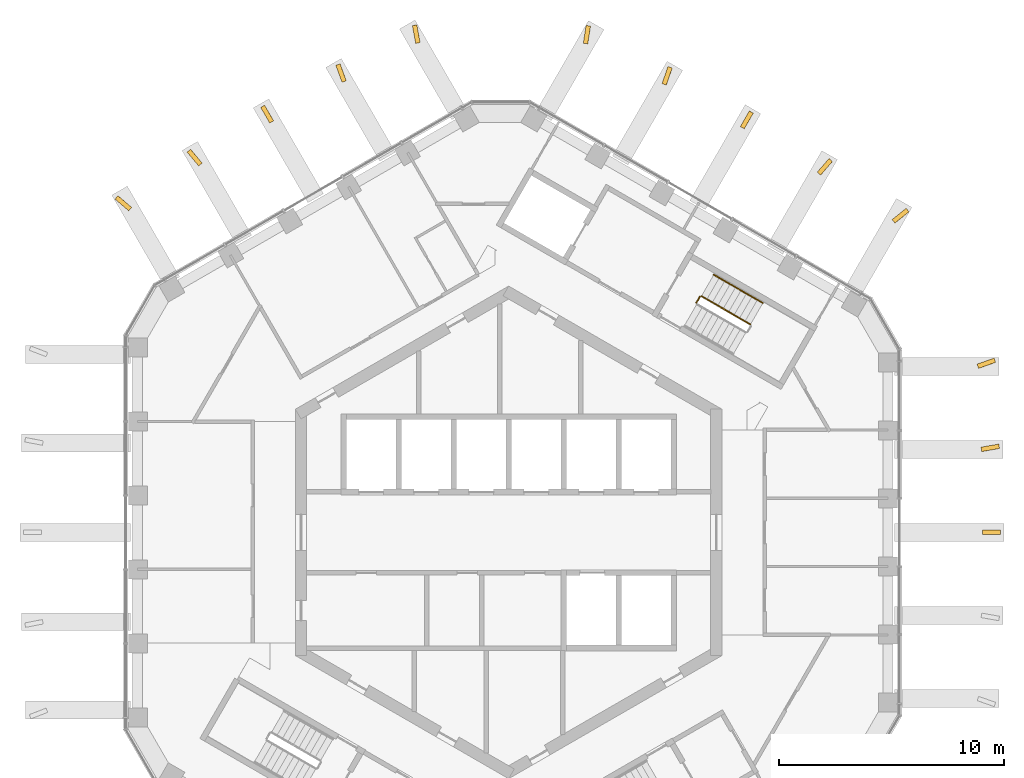
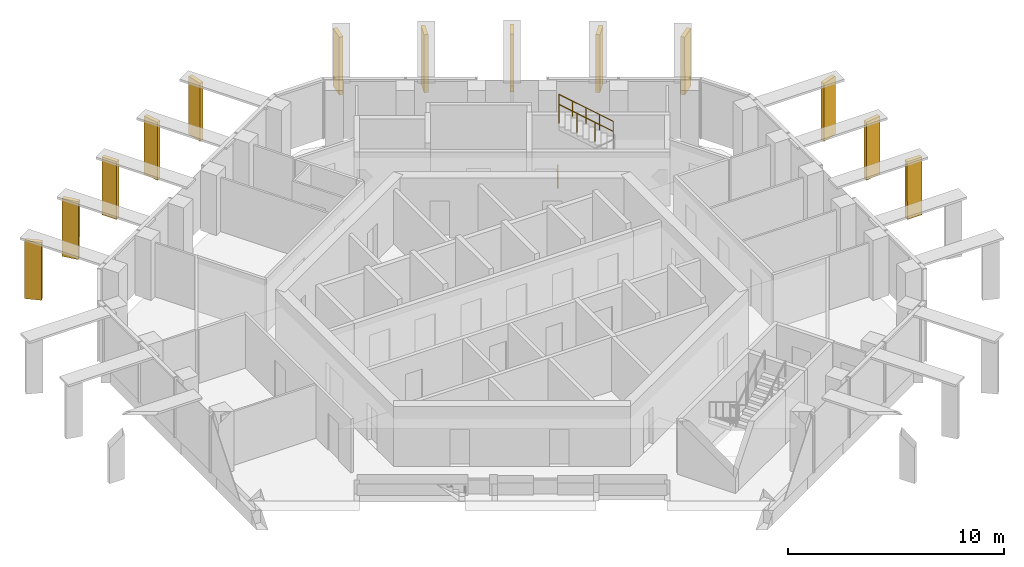
# One storey, part 18 of 18: 13 shading devices, 4 railings.
"""IFC4 building model written with IfcOpenShell, lengths in metres."""

from ifc_helpers import new_model, si_unit, direction, frame, origin, origin_2d, place, context, subcontext, project, spatial, polyline, circle, outline, extrude, material, layer, layer_set, type_object, element, save


model = new_model("IFC4")

# Units and contexts
model_context = context("Model", 3, precision=1e-05, world=origin(), true_north=direction((0.0, 1.0)))
body_context = subcontext(model_context, "Body", "Model", "MODEL_VIEW")
ifc_project = project(units=[si_unit("LENGTHUNIT", "METRE"), si_unit("AREAUNIT", "SQUARE_METRE"), si_unit("VOLUMEUNIT", "CUBIC_METRE"), si_unit("PLANEANGLEUNIT", "RADIAN"), si_unit("MASSUNIT", "GRAM", prefix="KILO")], contexts=[model_context])

# Site, building, storey
site_placement = place(None, origin())
site = spatial("IfcSite", under=ifc_project, at=site_placement, CompositionType="ELEMENT")
building_placement = place(site_placement, origin())
building = spatial("IfcBuilding", under=site, at=building_placement, Name="Ayvan Gate Tower", CompositionType="ELEMENT")
storey_placement = place(building_placement, frame((0.0, 0.0, 239.300048828125)))
storey = spatial("IfcBuildingStorey", under=building, at=storey_placement, Name="L64", CompositionType="ELEMENT", Elevation=239.300048828125)

# Shading devices
ifc_material_1 = material(Name="Bronze anodised aluminium", Category="aluminium")
ifc_layer = layer(ifc_material_1, 0.199951171875)
ifc_layer_set = layer_set([ifc_layer], Name="Bronze anodised aluminium")
shading_device_type = type_object("IfcShadingDeviceType", Name="Crown frame rib 800 x 200", PredefinedType="USERDEFINED", material=ifc_layer_set)
shading_device_1_placement = place(storey_placement, frame((-3.94384765625, 21.81787109375, 0.0), z_axis=(0.983236342365, 0.182335106941, 0.000451475959), x_axis=(-0.182335125553, 0.983236442566, 6.773e-08)))
element("IfcShadingDevice", 1, at=shading_device_1_placement, inside=storey, type_object=shading_device_type, Name="CROWN FRAME rib FR02.3.1", ObjectType="FIN", PredefinedType="USERDEFINED", context=body_context, shape_type="SweptSolid", body=[
    extrude(outline(polyline([(0.0, 0.0), (0.8000547419501696, 0.0), (0.7980725941170403, 3.2800295771064425), (-0.0019376324216171012, 3.28002968547931), (0.0, 0.0)])), origin(), (0.0, 0.0, -1.0), 0.199951171875),
])
shading_device_2_placement = place(storey_placement, frame((-7.2333984375, 20.117919921875, 0.0), z_axis=(0.939427407138, 0.342747556275, 0.000509299415), x_axis=(-0.342747600727, 0.939427528975, 0.0)))
element("IfcShadingDevice", 2, at=shading_device_2_placement, inside=storey, type_object=shading_device_type, Name="CROWN FRAME rib FR02.3.2", ObjectType="FIN", PredefinedType="USERDEFINED", context=body_context, shape_type="SweptSolid", body=[
    extrude(outline(polyline([(0.0, 0.0), (0.7999178441897364, -2.710505431213761e-20), (0.7981883868269768, 3.2800297222717485), (-0.0017294573627597131, 3.2800297222717485), (0.0, 0.0)])), origin(), (0.0, 0.0, -1.0), 0.199951171875),
])
shading_device_3_placement = place(storey_placement, frame((-10.4697265625, 18.333740234375, 0.0), z_axis=(0.866027974264, 0.499995361463, 0.000431633808), x_axis=(-0.499995408018, 0.86602805495, -5.7039e-08)))
element("IfcShadingDevice", 3, at=shading_device_3_placement, inside=storey, type_object=shading_device_type, Name="CROWN FRAME rib FR02.3.3", ObjectType="FIN", PredefinedType="USERDEFINED", context=body_context, shape_type="SweptSolid", body=[
    extrude(outline(polyline([(0.0, 0.0), (0.7999951411821995, 0.0), (0.7983361988007865, 3.2800296479585893), (-0.0017810115728236363, 3.280029556690155), (0.0, 0.0)])), origin(), (0.0, 0.0, -1.0), 0.199951171875),
])
shading_device_4_placement = place(storey_placement, frame((-13.65283203125, 16.45166015625, 0.0), z_axis=(0.766542733107, 0.642193145631, 0.000449472281), x_axis=(-0.642193210482, 0.766542810553, -5.2574e-08)))
element("IfcShadingDevice", 4, at=shading_device_4_placement, inside=storey, type_object=shading_device_type, Name="CROWN FRAME rib FR02.3.4", ObjectType="FIN", PredefinedType="USERDEFINED", context=body_context, shape_type="SweptSolid", body=[
    extrude(outline(polyline([(0.0, 0.0), (0.7999829235751461, 0.0), (0.7981113087232607, 3.280029670159233), (-0.002028400303663182, 3.2800295860348414), (0.0, 0.0)])), origin(), (0.0, 0.0, -1.0), 0.199951171875),
])
shading_device_5_placement = place(storey_placement, frame((-16.793212890625, 14.4765625, 0.0), z_axis=(0.649458214272, 0.76039715266, 0.000445130331), x_axis=(-0.76039722798, 0.64945827863, -4.412e-08)))
element("IfcShadingDevice", 5, at=shading_device_5_placement, inside=storey, type_object=shading_device_type, Name="CROWN FRAME rib FR02.3.5", ObjectType="FIN", PredefinedType="USERDEFINED", context=body_context, shape_type="SweptSolid", body=[
    extrude(outline(polyline([(0.0, 0.0), (0.799852712847083, 2.710505431213761e-20), (0.7978956889216784, 3.2800296570326117), (-0.0021426677798919063, 3.2800295864449343), (0.0, 0.0)])), origin(), (0.0, 0.0, -1.0), 0.199951171875),
])
shading_device_6_placement = place(storey_placement, frame((21.1123046875, -0.099853515625, 0.0), z_axis=(0.0, -0.999999900277, 0.000446594671), x_axis=(1.0, 0.0, 0.0)))
element("IfcShadingDevice", 6, at=shading_device_6_placement, inside=storey, type_object=shading_device_type, Name="CROWN FRAME rib FR02.1.3", ObjectType="FIN", PredefinedType="USERDEFINED", context=body_context, shape_type="SweptSolid", body=[
    extrude(outline(polyline([(0.0, 0.0), (0.800048828125, 0.0), (0.79833984375, 3.280029623970722), (-0.001708984375, 3.280029623970722), (0.0, 0.0)])), origin(), (0.0, 0.0, -1.0), 0.199951171875),
])
shading_device_7_placement = place(storey_placement, frame((21.073974609375, 3.59765625, 0.0), z_axis=(0.173027985072, -0.984916793332, 0.000476019489), x_axis=(0.984916904919, 0.173028004681, 1.2569e-08)))
element("IfcShadingDevice", 7, at=shading_device_7_placement, inside=storey, type_object=shading_device_type, Name="CROWN FRAME rib FR02.1.4", ObjectType="FIN", PredefinedType="USERDEFINED", context=body_context, shape_type="SweptSolid", body=[
    extrude(outline(polyline([(0.0, 0.0), (0.7999105788157218, 1.3552527156068805e-20), (0.7981981700393683, 3.2800296584606907), (-0.0019528670050936517, 3.280029678572283), (0.0, 0.0)])), origin(), (0.0, 0.0, -1.0), 0.199951171875),
])
shading_device_8_placement = place(storey_placement, frame((20.93359375, 7.304931640625, 0.0), z_axis=(0.333841458204, -0.942629126501, 0.000458972978), x_axis=(0.942629225786, 0.333841493367, 0.0)))
element("IfcShadingDevice", 8, at=shading_device_8_placement, inside=storey, type_object=shading_device_type, Name="CROWN FRAME rib FR02.1.5", ObjectType="FIN", PredefinedType="USERDEFINED", context=body_context, shape_type="SweptSolid", body=[
    extrude(outline(polyline([(0.0, 0.0), (0.8000498711419429, 0.0), (0.7979930430712, 3.2800296423542994), (-0.002056828070742895, 3.2800296423542994), (0.0, 0.0)])), origin(), (0.0, 0.0, -1.0), 0.199951171875),
])
shading_device_9_placement = place(storey_placement, frame((17.206298828125, 13.77490234375, 0.0), z_axis=(0.62846489139, -0.777837828673, 0.000438833643), x_axis=(0.777837903584, 0.628464951885, -5.2086e-08)))
element("IfcShadingDevice", 9, at=shading_device_9_placement, inside=storey, type_object=shading_device_type, Name="CROWN FRAME rib FR02.2.1", ObjectType="FIN", PredefinedType="USERDEFINED", context=body_context, shape_type="SweptSolid", body=[
    extrude(outline(polyline([(0.0, 0.0), (0.7999800176189471, -2.710505431213761e-20), (0.7980808284564826, 3.2800296542695517), (-0.002052622988608323, 3.280029570926247), (0.0, 0.0)])), origin(), (0.0, 0.0, -1.0), 0.199951171875),
])
shading_device_10_placement = place(storey_placement, frame((13.896484375, 15.91455078125, 0.0), z_axis=(0.756373293925, -0.654140066786, 0.000461803959), x_axis=(0.654140136535, 0.75637337458, 7.205e-09)))
element("IfcShadingDevice", 10, at=shading_device_10_placement, inside=storey, type_object=shading_device_type, Name="CROWN FRAME rib FR02.2.2", ObjectType="FIN", PredefinedType="USERDEFINED", context=body_context, shape_type="SweptSolid", body=[
    extrude(outline(polyline([(0.0, 0.0), (0.7998328942393694, -5.421010862427522e-20), (0.7982109367690798, 3.2800296408778693), (-0.0019663211204642506, 3.2800296524066477), (0.0, 0.0)])), origin(), (0.0, 0.0, -1.0), 0.199951171875),
])
shading_device_11_placement = place(storey_placement, frame((10.494384765625, 17.97705078125, 0.0), z_axis=(0.866055895608, -0.499946980443, 0.000449921), x_axis=(0.499947031058, 0.866055983258, -3.4332e-08)))
element("IfcShadingDevice", 11, at=shading_device_11_placement, inside=storey, type_object=shading_device_type, Name="CROWN FRAME rib FR02.2.3", ObjectType="FIN", PredefinedType="USERDEFINED", context=body_context, shape_type="SweptSolid", body=[
    extrude(outline(polyline([(0.0, 0.0), (0.7997837063903365, -2.710505431213761e-20), (0.7980507590079532, 3.2800296562600177), (-0.0019443868314207244, 3.28002960133658), (0.0, 0.0)])), origin(), (0.0, 0.0, -1.0), 0.199951171875),
])
shading_device_12_placement = place(storey_placement, frame((7.022705078125, 19.926513671875, 0.0), z_axis=(0.944657149351, -0.32805893573, 0.000452623147), x_axis=(0.328058969344, 0.944657246113, -2.266e-08)))
element("IfcShadingDevice", 12, at=shading_device_12_placement, inside=storey, type_object=shading_device_type, Name="CROWN FRAME rib FR02.2.4", ObjectType="FIN", PredefinedType="USERDEFINED", context=body_context, shape_type="SweptSolid", body=[
    extrude(outline(polyline([(0.0, 0.0), (0.7998968673738162, -1.3552527156068805e-20), (0.7983335360311261, 3.2800296509515428), (-0.0017939605531666644, 3.280029614694587), (0.0, 0.0)])), origin(), (0.0, 0.0, -1.0), 0.199951171875),
])
shading_device_13_placement = place(storey_placement, frame((3.523681640625, 21.757568359375, 0.0), z_axis=(0.987838208325, -0.155484574341, 0.000470442467), x_axis=(0.155484591514, 0.987838317642, 7.0911e-08)))
element("IfcShadingDevice", 13, at=shading_device_13_placement, inside=storey, type_object=shading_device_type, Name="CROWN FRAME rib FR02.2.5", ObjectType="FIN", PredefinedType="USERDEFINED", context=body_context, shape_type="SweptSolid", body=[
    extrude(outline(polyline([(0.0, 0.0), (0.7999937234589078, 0.0), (0.7980400350629201, 3.280029603246628), (-0.0019916485013377534, 3.2800297167066184), (0.0, 0.0)])), origin(), (0.0, 0.0, -1.0), 0.199951171875),
])

# Railings
ifc_material_2 = material(Name="Stainless steel balustrade", Category="steel")
railing_type_1 = type_object("IfcRailingType", Name="RL-GUARD-1100", PredefinedType="GUARDRAIL", material=ifc_material_2)
railing_1_placement = place(storey_placement, frame((10.7685546875, 9.261474609375, 1.869873046875)))
element("IfcRailing", 14, at=railing_1_placement, inside=storey, type_object=railing_type_1, Name="L64 STS1 stair guard 3", PredefinedType="GUARDRAIL", context=body_context, shape_type="SweptSolid", body=[
    extrude(circle(Radius=0.02392578125, at=origin_2d()), frame((0.0, 0.0, 1.076171875), z_axis=(-0.740261155115, 0.427395438142, 0.518986090067), x_axis=(-0.500004791531, -0.866022637375, 0.0)), (0.0, 0.0, 1.0), 2.947998046875),
    extrude(circle(Radius=0.02099609375, at=origin_2d()), origin(), (0.0, 0.0, 1.0), 1.052001953125),
    extrude(circle(Radius=0.02099609375, at=origin_2d()), frame((-0.7275390625, 0.419921875, 0.510009765625)), (0.0, 0.0, 1.0), 1.052001953125),
    extrude(circle(Radius=0.02099609375, at=origin_2d()), frame((-1.454833984375, 0.840087890625, 1.02001953125)), (0.0, 0.0, 1.0), 1.052001953125),
    extrude(circle(Radius=0.02099609375, at=origin_2d()), frame((-2.182373046875, 1.260009765625, 1.530029296875)), (0.0, 0.0, 1.0), 1.052001953125),
])
railing_2_placement = place(storey_placement, frame((8.36279296875, 10.23486328125, 0.0)))
element("IfcRailing", 15, at=railing_2_placement, inside=storey, type_object=railing_type_1, Name="L64 STS1 stair guard 4", PredefinedType="GUARDRAIL", context=body_context, shape_type="SweptSolid", body=[
    extrude(circle(Radius=0.02392578125, at=origin_2d()), frame((0.0, 0.0, 1.076171875), z_axis=(0.500290723946, 0.86585748916, 0.0), x_axis=(-0.86585748916, 0.500290723946, 0.0)), (0.0, 0.0, 1.0), 0.309814453125),
    extrude(circle(Radius=0.02099609375, at=origin_2d()), origin(), (0.0, 0.0, 1.0), 1.052001953125),
    extrude(circle(Radius=0.02099609375, at=origin_2d()), frame((0.155029296875, 0.268310546875, 0.0)), (0.0, 0.0, 1.0), 1.052001953125),
])
railing_type_2 = type_object("IfcRailingType", Name="RL-HANDRAIL-900", PredefinedType="HANDRAIL", material=ifc_material_2)
railing_3_placement = place(storey_placement, frame((11.318603515625, 10.214111328125, 1.869873046875)))
element("IfcRailing", 16, at=railing_3_placement, inside=storey, type_object=railing_type_2, Name="L64 STS1 stair handrail 3", PredefinedType="HANDRAIL", context=body_context, shape_type="SweptSolid", body=[
    extrude(circle(Radius=0.02392578125, at=origin_2d()), frame((0.0, 0.0, 0.8759765625), z_axis=(-0.740240574041, 0.427418550694, 0.518996411419), x_axis=(-0.500035496587, -0.86600490885, 0.0)), (0.0, 0.0, 1.0), 1.474365234375),
    extrude(circle(Radius=0.02099609375, at=origin_2d()), origin(), (0.0, 0.0, 1.0), 0.851806640625),
    extrude(circle(Radius=0.02099609375, at=origin_2d()), frame((-0.545654296875, 0.31494140625, 0.382568359375)), (0.0, 0.0, 1.0), 0.851806640625),
    extrude(circle(Radius=0.02099609375, at=origin_2d()), frame((-1.09130859375, 0.630126953125, 0.76513671875)), (0.0, 0.0, 1.0), 0.851806640625),
])
railing_4_placement = place(storey_placement, frame((10.227294921875, 10.84423828125, 2.635009765625)))
element("IfcRailing", 17, at=railing_4_placement, inside=storey, type_object=railing_type_2, Name="L64 STS1 stair handrail 4", PredefinedType="HANDRAIL", context=body_context, shape_type="SweptSolid", body=[
    extrude(circle(Radius=0.02392578125, at=origin_2d()), frame((0.0, 0.0, 0.8759765625), z_axis=(-0.740356597536, 0.427319915356, 0.518912129772), x_axis=(-0.499890179513, -0.866088799389, 0.0)), (0.0, 0.0, 1.0), 1.47412109375),
    extrude(circle(Radius=0.02099609375, at=origin_2d()), origin(), (0.0, 0.0, 1.0), 0.851806640625),
    extrude(circle(Radius=0.02099609375, at=origin_2d()), frame((-0.545654296875, 0.31494140625, 0.38232421875)), (0.0, 0.0, 1.0), 0.851806640625),
    extrude(circle(Radius=0.02099609375, at=origin_2d()), frame((-1.09130859375, 0.6298828125, 0.764892578125)), (0.0, 0.0, 1.0), 0.851806640625),
])

save(model, "model.ifc")
